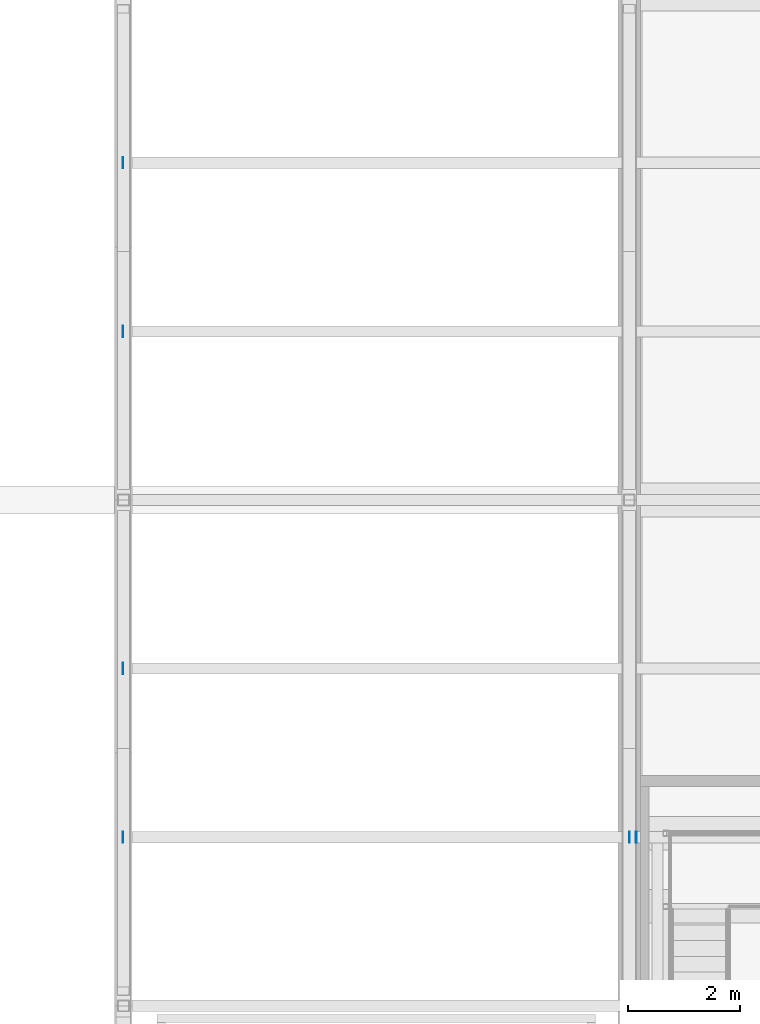
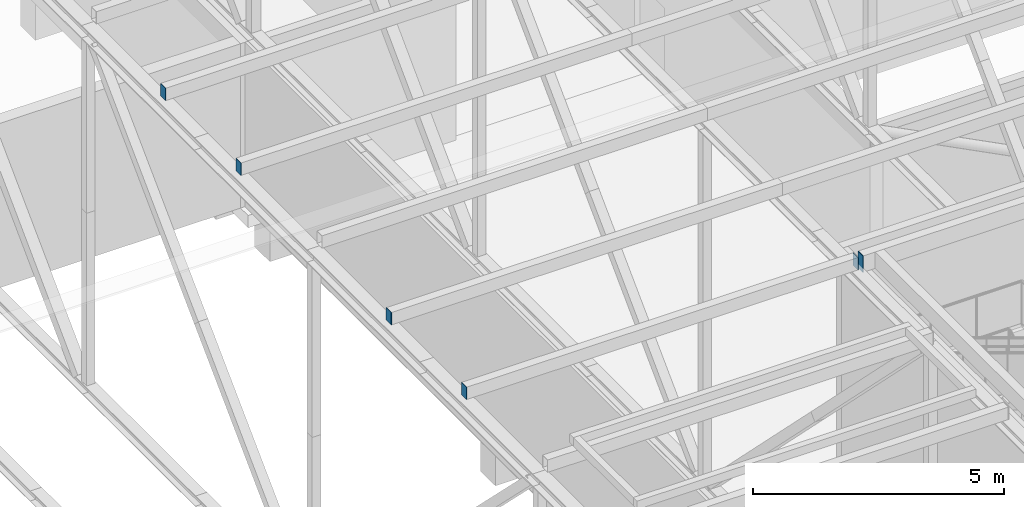
# One storey, part 218 of 646: 6 discrete accessories.
"""IFC4 building model written with IfcOpenShell, lengths in metres."""

import ifcopenshell
import ifcopenshell.guid

model = None  # the IFC model being written
_history = None  # IfcOwnerHistory: only IFC2X3 demands one
_inside = {}  # id of a spatial element -> (the spatial element, [elements in it])
_under = {}  # id of a project, library or spatial element -> (it, [spatial elements below it])
_declared = {}  # id of a project -> (the project, [libraries it declares])
_typed = {}  # id of a type object -> (the type object, [elements of that type])
_made_of = {}  # id of a material, layer set ... -> (it, [elements and type objects made of it])


def new_model(schema):
    """Start an empty IFC model of exactly this schema.

    Asked for "IFC4X3", IfcOpenShell would pick the latest addendum, in which some entities
    have other attributes; the version numbers below select the first issue.
    IFC2X3 requires an IfcOwnerHistory on every rooted entity: one is made here for all.
    """
    global model, _history
    if schema == "IFC4X3":
        model = ifcopenshell.file(schema_version=(4, 3, 0, 0))
    else:
        model = ifcopenshell.file(schema=schema)
    _inside.clear()
    _under.clear()
    _declared.clear()
    _typed.clear()
    _made_of.clear()
    _history = None
    if model.schema == "IFC2X3":
        org = make("IfcOrganization", Name="unknown")
        user = make(
            "IfcPersonAndOrganization",
            ThePerson=make("IfcPerson", FamilyName="unknown"),
            TheOrganization=org,
        )
        app = make(
            "IfcApplication",
            ApplicationDeveloper=org,
            Version="unknown",
            ApplicationFullName="unknown",
            ApplicationIdentifier="unknown",
        )
        _history = make(
            "IfcOwnerHistory",
            OwningUser=user,
            OwningApplication=app,
            ChangeAction="ADDED",
            CreationDate=0,
        )
    return model


def make(cls, **values):
    """One entity of the class cls with the attributes given. An attribute that is None is left unset."""
    return model.create_entity(
        cls, **{name: value for name, value in values.items() if value is not None}
    )


def rooted(cls, **values):
    """An entity with a GlobalId (a new one), such as an element, a storey or a relation."""
    return make(cls, GlobalId=ifcopenshell.guid.new(), OwnerHistory=_history, **values)


def si_unit(unit_type, name, prefix=None):
    """IfcSIUnit, for example si_unit("LENGTHUNIT", "METRE", prefix="MILLI")."""
    return make("IfcSIUnit", UnitType=unit_type, Prefix=prefix, Name=name)


def assignment(units):
    """IfcUnitAssignment: the units of a project."""
    return None if units is None else make("IfcUnitAssignment", Units=units)


def point(xyz):
    """IfcCartesianPoint."""
    return None if xyz is None else make("IfcCartesianPoint", Coordinates=xyz)


def direction(xyz):
    """IfcDirection."""
    return None if xyz is None else make("IfcDirection", DirectionRatios=xyz)


def frame(location, z_axis=None, x_axis=None):
    """IfcAxis2Placement3D, a coordinate frame: its origin and axes. An axis left out is left unset."""
    return make(
        "IfcAxis2Placement3D",
        Location=point(location),
        Axis=direction(z_axis),
        RefDirection=direction(x_axis),
    )


def frame_2d(location, x_axis=None):
    """IfcAxis2Placement2D, a coordinate frame in the plane: its origin and x axis."""
    return make(
        "IfcAxis2Placement2D", Location=point(location), RefDirection=direction(x_axis)
    )


def origin():
    """The frame at (0, 0, 0) with its axes left unset."""
    return frame((0.0, 0.0, 0.0))


def origin_2d():
    """The frame at (0, 0) in the plane with its x axis left unset."""
    return frame_2d((0.0, 0.0))


def place(relative_to, where):
    """IfcLocalPlacement: puts the frame where relative to a parent placement (None: the world)."""
    return make(
        "IfcLocalPlacement", PlacementRelTo=relative_to, RelativePlacement=where
    )


def context(
    kind, dimensions, precision=None, world=None, true_north=None, identifier=None
):
    """IfcGeometricRepresentationContext, for example the 3D "Model" context."""
    return make(
        "IfcGeometricRepresentationContext",
        ContextIdentifier=identifier,
        ContextType=kind,
        CoordinateSpaceDimension=dimensions,
        Precision=precision,
        WorldCoordinateSystem=world,
        TrueNorth=true_north,
    )


def subcontext(parent, identifier, kind, view, scale=None):
    """IfcGeometricRepresentationSubContext, for example "Body" below "Model"."""
    return make(
        "IfcGeometricRepresentationSubContext",
        ContextIdentifier=identifier,
        ContextType=kind,
        ParentContext=parent,
        TargetScale=scale,
        TargetView=view,
    )


def project(units=None, contexts=None):
    """IfcProject with its units and contexts."""
    return rooted(
        "IfcProject",
        Name="project",
        RepresentationContexts=contexts,
        UnitsInContext=assignment(units),
    )


def spatial(cls, under=None, at=None, **own):
    """A site, building, storey or space (cls), placed at a placement, below another one or the project."""
    s = rooted(cls, ObjectPlacement=at, **own)
    if under is not None:
        _under.setdefault(under.id(), (under, []))[1].append(s)
    return s


def profile(cls, at=None, kind="AREA", **sizes):
    """A parametric profile (cls). Its sizes go by their IFC names, for example OverallWidth=200.0."""
    return make(cls, ProfileType=kind, Position=at, **sizes)


def rectangle(**sizes):
    """IfcRectangleProfileDef."""
    return profile("IfcRectangleProfileDef", **sizes)


def extrude(swept, where, along, depth):
    """IfcExtrudedAreaSolid: the profile swept, set in the frame where, extruded along a direction by depth."""
    return make(
        "IfcExtrudedAreaSolid",
        SweptArea=swept,
        Position=where,
        ExtrudedDirection=direction(along),
        Depth=depth,
    )


def shape(context_of_items, identifier, shape_type, items):
    """IfcShapeRepresentation: the items that make up one representation, for example the "Body"."""
    return make(
        "IfcShapeRepresentation",
        ContextOfItems=context_of_items,
        RepresentationIdentifier=identifier,
        RepresentationType=shape_type,
        Items=items,
    )


def material(Name=None, Category=None):
    """IfcMaterial."""
    return make("IfcMaterial", Name=Name, Category=Category)


def layer(
    of_material, thickness, ventilated=None, Name=None, Category=None, Priority=None
):
    """IfcMaterialLayer: one layer of a wall or slab, of a material (None: an air gap)."""
    return make(
        "IfcMaterialLayer",
        Material=of_material,
        LayerThickness=thickness,
        IsVentilated=ventilated,
        Name=Name,
        Category=Category,
        Priority=Priority,
    )


def layer_set(layers, Name=None):
    """IfcMaterialLayerSet."""
    return make("IfcMaterialLayerSet", MaterialLayers=layers, LayerSetName=Name)


def made_of(thing, what):
    """Note that an element or type object is made of a material, layer set ...; save() writes the relation."""
    if what is not None:
        _made_of.setdefault(what.id(), (what, []))[1].append(thing)
    return thing


def type_object(cls, material=None, **own):
    """A type object (cls), such as IfcWallType, which elements share."""
    return made_of(rooted(cls, **own), material)


def element(
    cls,
    number,
    at=None,
    inside=None,
    cuts=None,
    type_object=None,
    material=None,
    context=None,
    identifier="Body",
    shape_type=None,
    held_by="IfcProductDefinitionShape",
    body=None,
    shapes=None,
    **own,
):
    """One element of the class cls, such as IfcWall. Its Tag is "e" and its number.

    at: its placement. inside: the storey or other place that contains it. cuts: it is an
    opening in that element (IfcRelVoidsElement). A single representation is given by context,
    identifier, shape_type and body (its items); several are given by shapes. held_by: the class
    of the entity that holds the representations. save() writes the other relations.
    """
    e = rooted(cls, Tag="e%d" % number, ObjectPlacement=at, **own)
    if body is not None:
        shapes = [shape(context, identifier, shape_type, body)]
    if shapes is not None:
        e.Representation = make(held_by, Representations=shapes)
    if inside is not None:
        _inside.setdefault(inside.id(), (inside, []))[1].append(e)
    if cuts is not None:
        rooted(
            "IfcRelVoidsElement", RelatingBuildingElement=cuts, RelatedOpeningElement=e
        )
    if type_object is not None:
        _typed.setdefault(type_object.id(), (type_object, []))[1].append(e)
    return made_of(e, material)


def aggregate(whole, parts):
    """IfcRelAggregates: a whole, such as a stair, and the parts it consists of."""
    return rooted("IfcRelAggregates", RelatingObject=whole, RelatedObjects=parts)


def save(model, path):
    """Write the relations noted so far, then the file.

    IfcRelAggregates (storeys below a building ...), IfcRelContainedInSpatialStructure (elements
    in a storey), IfcRelDefinesByType, IfcRelAssociatesMaterial and IfcRelDeclares: one each for
    every whole, place, type object, material and project.
    """
    for whole, parts in _under.values():
        aggregate(whole, parts)
    for where, things in _inside.values():
        rooted(
            "IfcRelContainedInSpatialStructure",
            RelatedElements=things,
            RelatingStructure=where,
        )
    for kind, things in _typed.values():
        rooted("IfcRelDefinesByType", RelatedObjects=things, RelatingType=kind)
    for what, things in _made_of.values():
        rooted("IfcRelAssociatesMaterial", RelatedObjects=things, RelatingMaterial=what)
    for by, libraries in _declared.values():
        rooted("IfcRelDeclares", RelatingContext=by, RelatedDefinitions=libraries)
    model.write(path)


model = new_model("IFC4")

# Units and contexts
model_context = context("Model", 3, precision=1e-05, world=origin(), true_north=direction((0.0, 1.0)))
body_context = subcontext(model_context, "Body", "Model", "MODEL_VIEW")
ifc_project = project(units=[si_unit("LENGTHUNIT", "METRE"), si_unit("AREAUNIT", "SQUARE_METRE"), si_unit("VOLUMEUNIT", "CUBIC_METRE"), si_unit("PLANEANGLEUNIT", "RADIAN"), si_unit("MASSUNIT", "GRAM", prefix="KILO")], contexts=[model_context])

# Site, building, storey
site_placement = place(None, origin())
site = spatial("IfcSite", under=ifc_project, at=site_placement, CompositionType="ELEMENT")
building_placement = place(site_placement, origin())
building = spatial("IfcBuilding", under=site, at=building_placement, Name="Silverbay Arena", CompositionType="ELEMENT")
storey_placement = place(building_placement, frame((0.0, 0.0, 33.5)))
storey = spatial("IfcBuildingStorey", under=building, at=storey_placement, Name="L05", CompositionType="ELEMENT", Elevation=33.5)

# Discrete accessories
ifc_material = material(Name="Steel S355", Category="steel")
ifc_layer = layer(ifc_material, 0.011962890625)
ifc_layer_set = layer_set([ifc_layer], Name="Steel S355")
discrete_accessory_type = type_object("IfcDiscreteAccessoryType", Name="Purlin end plate 12", PredefinedType="USERDEFINED", material=ifc_layer_set)
for number, where, z_axis, x_axis, name in (
    (1, (189.0, 75.0, 13.14990234375), (1.0, 0.0, 0.0), (0.0, 1.0, 0.0), "Purlin end plate"),
    (2, (180.0, 75.0, 13.14990234375), (-1.0, 0.0, 0.0), (0.0, -1.0, 0.0), "Purlin end plate"),
    (3, (180.0, 78.0, 13.14990234375), (-1.0, 0.0, 0.0), (0.0, -1.0, 0.0), "Purlin end plate"),
    (4, (180.0, 84.0, 13.14990234375), (-1.0, 0.0, 0.0), (0.0, -1.0, 0.0), "Purlin end plate"),
    (5, (180.0, 87.0, 13.14990234375), (-1.0, 0.0, 0.0), (0.0, -1.0, 0.0), "Purlin end plate"),
):
    element("IfcDiscreteAccessory", number, at=place(storey_placement, frame(where, z_axis=z_axis, x_axis=x_axis)), inside=storey, type_object=discrete_accessory_type, Name=name, ObjectType="END PLATE", PredefinedType="USERDEFINED", context=body_context, shape_type="SweptSolid", body=[
        extrude(rectangle(XDim=0.199951171875, YDim=0.300048828125, at=origin_2d()), origin(), (0.0, 0.0, 1.0), 0.011962890625),
    ])
discrete_accessory_placement = place(storey_placement, frame((189.12939453125, 75.0, 13.10009765625), z_axis=(-1.0, 0.0, 0.0), x_axis=(0.0, -1.0, 0.0)))
element("IfcDiscreteAccessory", 6, at=discrete_accessory_placement, inside=storey, type_object=discrete_accessory_type, Name="Purlin end plate", ObjectType="END PLATE", PredefinedType="USERDEFINED", context=body_context, shape_type="SweptSolid", body=[
    extrude(rectangle(XDim=0.199951171875, YDim=0.39990234375, at=origin_2d()), origin(), (0.0, 0.0, 1.0), 0.011962890625),
])

save(model, "model.ifc")
